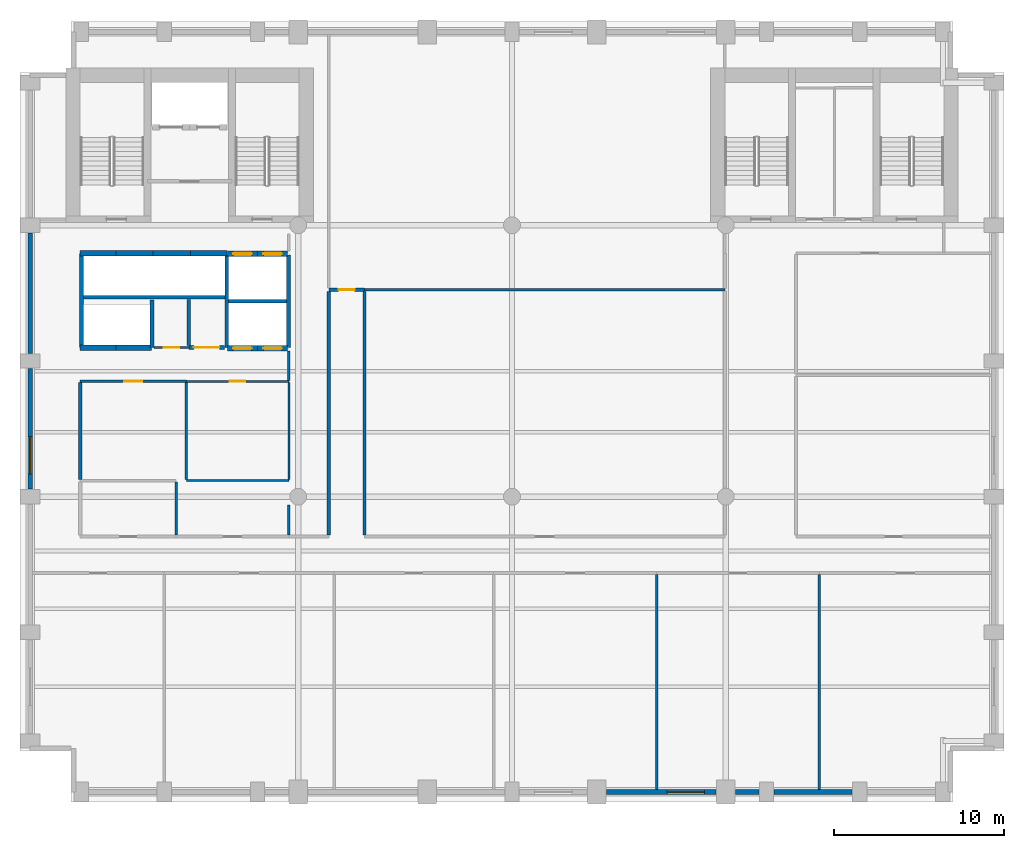
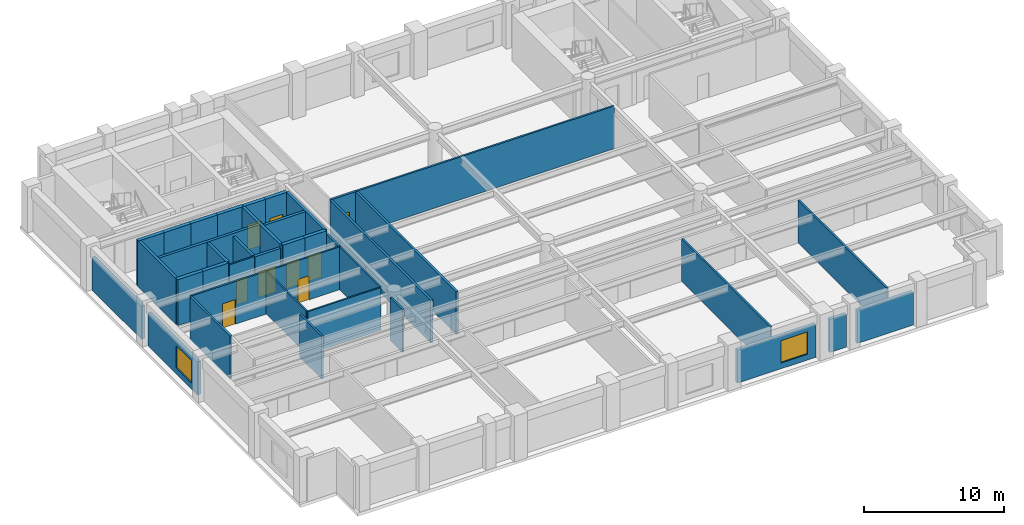
# One storey, part 3 of 8: 39 walls, 9 doors, 2 windows, 11 openings.
"""IFC4 building model written with IfcOpenShell, lengths in metres."""

from ifc_helpers import new_model, si_unit, direction, frame, frame_2d, origin, place, context, subcontext, project, spatial, rectangle, extrude, material, layer, layer_set, type_object, element, fill, save


model = new_model("IFC4")

# Units and contexts
model_context = context("Model", 3, precision=1e-05, world=origin(), true_north=direction((0.0, 1.0)))
body_context = subcontext(model_context, "Body", "Model", "MODEL_VIEW")
ifc_project = project(units=[si_unit("LENGTHUNIT", "METRE"), si_unit("AREAUNIT", "SQUARE_METRE"), si_unit("VOLUMEUNIT", "CUBIC_METRE"), si_unit("PLANEANGLEUNIT", "RADIAN"), si_unit("MASSUNIT", "GRAM", prefix="KILO")], contexts=[model_context])

# Site, building, storey
site_placement = place(None, origin())
site = spatial("IfcSite", under=ifc_project, at=site_placement, CompositionType="ELEMENT")
building_placement = place(site_placement, origin())
building = spatial("IfcBuilding", under=site, at=building_placement, Name="Sulina Concourse Tower", CompositionType="ELEMENT")
storey_placement = place(building_placement, frame((0.0, 0.0, 100.60009765625)))
storey = spatial("IfcBuildingStorey", under=building, at=storey_placement, Name="L24", CompositionType="ELEMENT", Elevation=100.60009765625)

# Walls
ifc_material_1 = material(Name="Concrete C50/60", Category="concrete")
ifc_layer_1 = layer(ifc_material_1, 0.219970703125)
ifc_layer_set_1 = layer_set([ifc_layer_1], Name="Concrete C50/60")
wall_type_1 = type_object("IfcWallType", Name="Core Lift Hoistway Divider Wall 220mm", PredefinedType="SOLIDWALL", material=ifc_layer_set_1)
wall_1_placement = place(storey_placement, frame((3.550048828125, 29.75, 0.0), z_axis=(0.0, 0.0, 1.0), x_axis=(1.0, 0.0, 0.0)))
element("IfcWall", 1, at=wall_1_placement, inside=storey, type_object=wall_type_1, Name="L24 shaft divider wall HW-LP3-S", PredefinedType="SOLIDWALL", context=body_context, shape_type="SweptSolid", body=[
    extrude(rectangle(XDim=8.64990234375, YDim=0.219970703125, at=frame_2d((4.324951171875, 0.0))), origin(), (0.0, 0.0, 1.0), 4.0),
])
wall_2_placement = place(storey_placement, frame((3.6298828125, 26.800048828125, 0.0), z_axis=(0.0, 0.0, 1.0), x_axis=(0.0, 1.0, 0.0)))
element("IfcWall", 2, at=wall_2_placement, inside=storey, type_object=wall_type_1, Name="L24 shaft divider wall HW-LP3-W", PredefinedType="SOLIDWALL", context=body_context, shape_type="SweptSolid", body=[
    extrude(rectangle(XDim=5.550048828125, YDim=0.219970703125, at=frame_2d((2.77490234375, 0.0))), origin(), (0.0, 0.0, 1.0), 4.0),
])
wall_3_placement = place(storey_placement, frame((7.780029296875, 26.800048828125, 0.0), z_axis=(0.0, 0.0, 1.0), x_axis=(0.0, 1.0, 0.0)))
element("IfcWall", 3, at=wall_3_placement, inside=storey, type_object=wall_type_1, Name="L24 shaft divider wall HW-EXP-E", PredefinedType="SOLIDWALL", context=body_context, shape_type="SweptSolid", body=[
    extrude(rectangle(XDim=2.800048828125, YDim=0.219970703125, at=frame_2d((1.39990234375, 0.0))), origin(), (0.0, 0.0, 1.0), 4.0),
])
for number, where, z_axis, x_axis, name in (
    (4, (12.179931640625, 26.800048828125, 0.0), (0.0, 0.0, 1.0), (0.0, 1.0, 0.0), "L24 shaft divider wall HW-LP2-W"),
    (5, (15.820068359375, 26.800048828125, 0.0), (0.0, 0.0, 1.0), (0.0, 1.0, 0.0), "L24 shaft divider wall HW-LP2-E"),
):
    element("IfcWall", number, at=place(storey_placement, frame(where, z_axis=z_axis, x_axis=x_axis)), inside=storey, type_object=wall_type_1, Name=name, PredefinedType="SOLIDWALL", context=body_context, shape_type="SweptSolid", body=[
        extrude(rectangle(XDim=5.449951171875, YDim=0.219970703125, at=frame_2d((2.72509765625, 0.0))), origin(), (0.0, 0.0, 1.0), 4.0),
    ])
wall_4_placement = place(storey_placement, frame((12.300048828125, 29.52001953125, 0.0), z_axis=(0.0, 0.0, 1.0), x_axis=(1.0, 0.0, 0.0)))
element("IfcWall", 6, at=wall_4_placement, inside=storey, type_object=wall_type_1, Name="L24 shaft divider wall HW-LP2-M", PredefinedType="SOLIDWALL", context=body_context, shape_type="SweptSolid", body=[
    extrude(rectangle(XDim=3.39990234375, YDim=0.219970703125, at=frame_2d((1.699951171875, 0.0))), origin(), (0.0, 0.0, 1.0), 4.0),
])

# Wall, opening, door
ifc_material_2 = material(Name="Concrete C50/60", Category="concrete")
ifc_layer_2 = layer(ifc_material_2, 0.300048828125)
ifc_layer_set_2 = layer_set([ifc_layer_2], Name="Concrete C50/60")
wall_type_2 = type_object("IfcWallType", Name="Core Lift Hoistway Wall 300mm", PredefinedType="SOLIDWALL", material=ifc_layer_set_2)
wall_5_placement = place(storey_placement, frame((14.0, 26.75, 0.0), z_axis=(0.0, 0.0, 1.0), x_axis=(-1.0, 0.0, 0.0)))
wall_5 = element("IfcWall", 7, at=wall_5_placement, inside=storey, type_object=wall_type_2, Name="L24 hoistway enclosure wall LP-05", PredefinedType="SOLIDWALL", context=body_context, shape_type="SweptSolid", body=[
    extrude(rectangle(XDim=1.780029296875, YDim=0.300048828125, at=frame_2d((0.89013671875, 0.0))), origin(), (0.0, 0.0, 1.0), 4.0),
])
opening_1_placement = place(wall_5_placement, frame((0.340087890625, 0.0, 0.0)))
opening_1 = element("IfcOpeningElement", 8, at=opening_1_placement, cuts=wall_5, Name="Opening LD-01", PredefinedType="OPENING", context=body_context, shape_type="SweptSolid", body=[
    extrude(rectangle(XDim=1.10009765625, YDim=2.199951171875, at=frame_2d((0.550048828125, 1.10009765625))), frame((0.0, 0.159912109375, 0.0), z_axis=(0.0, -1.0, 0.0), x_axis=(1.0, 0.0, 0.0)), (0.0, 0.0, 1.0), 0.320068359375),
])
ifc_material_3 = material(Name="Stainless steel lift landing door", Category="steel")
ifc_layer_3 = layer(ifc_material_3, 0.050048828125)
ifc_layer_set_3 = layer_set([ifc_layer_3], Name="Stainless steel lift landing door")
door_type_1 = type_object("IfcDoorType", Name="Passenger Lift Sliding Landing Door 1100x2200", OperationType="SLIDING_TO_LEFT", PredefinedType="DOOR", material=ifc_layer_set_3)
door_1_placement = place(opening_1_placement, origin())
door_1 = element("IfcDoor", 9, at=door_1_placement, inside=storey, type_object=door_type_1, Name="L24 lift landing sliding door LP-05", OperationType="SLIDING_TO_LEFT", OverallHeight=2.199951171875, OverallWidth=1.10009765625, PredefinedType="DOOR", context=body_context, shape_type="SweptSolid", body=[
    extrude(rectangle(XDim=1.10009765625, YDim=2.199951171875, at=frame_2d((0.550048828125, 1.10009765625))), frame((0.0, 0.02490234375, 0.0), z_axis=(0.0, -1.0, 0.0), x_axis=(1.0, 0.0, 0.0)), (0.0, 0.0, 1.0), 0.050048828125),
])
fill(opening_1, door_1)

wall_6_placement = place(storey_placement, frame((15.780029296875, 26.75, 0.0), z_axis=(0.0, 0.0, 1.0), x_axis=(-1.0, 0.0, 0.0)))
wall_6 = element("IfcWall", 10, at=wall_6_placement, inside=storey, type_object=wall_type_2, Name="L24 hoistway enclosure wall LP-06", PredefinedType="SOLIDWALL", context=body_context, shape_type="SweptSolid", body=[
    extrude(rectangle(XDim=1.780029296875, YDim=0.300048828125, at=frame_2d((0.89013671875, 0.0))), origin(), (0.0, 0.0, 1.0), 4.0),
])
opening_2_placement = place(wall_6_placement, frame((0.340087890625, 0.0, 0.0)))
opening_2 = element("IfcOpeningElement", 11, at=opening_2_placement, cuts=wall_6, Name="Opening LD-01", PredefinedType="OPENING", context=body_context, shape_type="SweptSolid", body=[
    extrude(rectangle(XDim=1.10009765625, YDim=2.199951171875, at=frame_2d((0.550048828125, 1.10009765625))), frame((0.0, 0.159912109375, 0.0), z_axis=(0.0, -1.0, 0.0), x_axis=(1.0, 0.0, 0.0)), (0.0, 0.0, 1.0), 0.320068359375),
])
door_2_placement = place(opening_2_placement, origin())
door_2 = element("IfcDoor", 12, at=door_2_placement, inside=storey, type_object=door_type_1, Name="L24 lift landing sliding door LP-06", OperationType="SLIDING_TO_RIGHT", OverallHeight=2.199951171875, OverallWidth=1.10009765625, PredefinedType="DOOR", context=body_context, shape_type="SweptSolid", body=[
    extrude(rectangle(XDim=1.10009765625, YDim=2.199951171875, at=frame_2d((0.550048828125, 1.10009765625))), frame((0.0, 0.02490234375, 0.0), z_axis=(0.0, -1.0, 0.0), x_axis=(1.0, 0.0, 0.0)), (0.0, 0.0, 1.0), 0.050048828125),
])
fill(opening_2, door_2)

wall_7_placement = place(storey_placement, frame((12.219970703125, 32.320068359375, 0.0), z_axis=(0.0, 0.0, 1.0), x_axis=(1.0, 0.0, 0.0)))
wall_7 = element("IfcWall", 13, at=wall_7_placement, inside=storey, type_object=wall_type_2, Name="L24 hoistway enclosure wall LP-07", PredefinedType="SOLIDWALL", context=body_context, shape_type="SweptSolid", body=[
    extrude(rectangle(XDim=1.780029296875, YDim=0.300048828125, at=frame_2d((0.89013671875, 0.0))), origin(), (0.0, 0.0, 1.0), 4.0),
])
opening_3_placement = place(wall_7_placement, frame((0.340087890625, 0.0, 0.0)))
opening_3 = element("IfcOpeningElement", 14, at=opening_3_placement, cuts=wall_7, Name="Opening LD-01", PredefinedType="OPENING", context=body_context, shape_type="SweptSolid", body=[
    extrude(rectangle(XDim=1.10009765625, YDim=2.199951171875, at=frame_2d((0.550048828125, 1.10009765625))), frame((0.0, 0.159912109375, 0.0), z_axis=(0.0, -1.0, 0.0), x_axis=(1.0, 0.0, 0.0)), (0.0, 0.0, 1.0), 0.320068359375),
])
door_3_placement = place(opening_3_placement, origin())
door_3 = element("IfcDoor", 15, at=door_3_placement, inside=storey, type_object=door_type_1, Name="L24 lift landing sliding door LP-07", OperationType="SLIDING_TO_LEFT", OverallHeight=2.199951171875, OverallWidth=1.10009765625, PredefinedType="DOOR", context=body_context, shape_type="SweptSolid", body=[
    extrude(rectangle(XDim=1.10009765625, YDim=2.199951171875, at=frame_2d((0.550048828125, 1.10009765625))), frame((0.0, 0.02490234375, 0.0), z_axis=(0.0, -1.0, 0.0), x_axis=(1.0, 0.0, 0.0)), (0.0, 0.0, 1.0), 0.050048828125),
])
fill(opening_3, door_3)

wall_8_placement = place(storey_placement, frame((14.0, 32.320068359375, 0.0), z_axis=(0.0, 0.0, 1.0), x_axis=(1.0, 0.0, 0.0)))
wall_8 = element("IfcWall", 16, at=wall_8_placement, inside=storey, type_object=wall_type_2, Name="L24 hoistway enclosure wall LP-08", PredefinedType="SOLIDWALL", context=body_context, shape_type="SweptSolid", body=[
    extrude(rectangle(XDim=1.780029296875, YDim=0.300048828125, at=frame_2d((0.89013671875, 0.0))), origin(), (0.0, 0.0, 1.0), 4.0),
])
opening_4_placement = place(wall_8_placement, frame((0.340087890625, 0.0, 0.0)))
opening_4 = element("IfcOpeningElement", 17, at=opening_4_placement, cuts=wall_8, Name="Opening LD-01", PredefinedType="OPENING", context=body_context, shape_type="SweptSolid", body=[
    extrude(rectangle(XDim=1.10009765625, YDim=2.199951171875, at=frame_2d((0.550048828125, 1.10009765625))), frame((0.0, 0.159912109375, 0.0), z_axis=(0.0, -1.0, 0.0), x_axis=(1.0, 0.0, 0.0)), (0.0, 0.0, 1.0), 0.320068359375),
])
door_4_placement = place(opening_4_placement, origin())
door_4 = element("IfcDoor", 18, at=door_4_placement, inside=storey, type_object=door_type_1, Name="L24 lift landing sliding door LP-08", OperationType="SLIDING_TO_RIGHT", OverallHeight=2.199951171875, OverallWidth=1.10009765625, PredefinedType="DOOR", context=body_context, shape_type="SweptSolid", body=[
    extrude(rectangle(XDim=1.10009765625, YDim=2.199951171875, at=frame_2d((0.550048828125, 1.10009765625))), frame((0.0, 0.02490234375, 0.0), z_axis=(0.0, -1.0, 0.0), x_axis=(1.0, 0.0, 0.0)), (0.0, 0.0, 1.0), 0.050048828125),
])
fill(opening_4, door_4)

# Walls
wall_9_placement = place(storey_placement, frame((3.550048828125, 32.35009765625, 0.0), z_axis=(0.0, 0.0, 1.0), x_axis=(1.0, 0.0, 0.0)))
element("IfcWall", 19, at=wall_9_placement, inside=storey, type_object=wall_type_2, Name="L24 hoistway enclosure wall LP-09", PredefinedType="SOLIDWALL", context=body_context, shape_type="SweptSolid", body=[
    extrude(rectangle(XDim=2.099853515625, YDim=0.300048828125, at=frame_2d((1.0498046875, 0.0))), origin(), (0.0, 0.0, 1.0), 4.0),
])
wall_10_placement = place(storey_placement, frame((5.64990234375, 32.35009765625, 0.0), z_axis=(0.0, 0.0, 1.0), x_axis=(1.0, 0.0, 0.0)))
element("IfcWall", 20, at=wall_10_placement, inside=storey, type_object=wall_type_2, Name="L24 hoistway enclosure wall LP-10", PredefinedType="SOLIDWALL", context=body_context, shape_type="SweptSolid", body=[
    extrude(rectangle(XDim=2.2001953125, YDim=0.300048828125, at=frame_2d((1.10009765625, 0.0))), origin(), (0.0, 0.0, 1.0), 4.0),
])
wall_11_placement = place(storey_placement, frame((7.85009765625, 32.35009765625, 0.0), z_axis=(0.0, 0.0, 1.0), x_axis=(1.0, 0.0, 0.0)))
element("IfcWall", 21, at=wall_11_placement, inside=storey, type_object=wall_type_2, Name="L24 hoistway enclosure wall LP-11", PredefinedType="SOLIDWALL", context=body_context, shape_type="SweptSolid", body=[
    extrude(rectangle(XDim=2.199951171875, YDim=0.300048828125, at=frame_2d((1.10009765625, 0.0))), origin(), (0.0, 0.0, 1.0), 4.0),
])
wall_12_placement = place(storey_placement, frame((10.050048828125, 32.35009765625, 0.0), z_axis=(0.0, 0.0, 1.0), x_axis=(1.0, 0.0, 0.0)))
element("IfcWall", 22, at=wall_12_placement, inside=storey, type_object=wall_type_2, Name="L24 hoistway enclosure wall LP-12", PredefinedType="SOLIDWALL", context=body_context, shape_type="SweptSolid", body=[
    extrude(rectangle(XDim=2.14990234375, YDim=0.300048828125, at=frame_2d((1.074951171875, 0.0))), origin(), (0.0, 0.0, 1.0), 4.0),
])
wall_13_placement = place(storey_placement, frame((5.64990234375, 26.780029296875, 0.0), z_axis=(0.0, 0.0, 1.0), x_axis=(-1.0, 0.0, 0.0)))
element("IfcWall", 23, at=wall_13_placement, inside=storey, type_object=wall_type_2, Name="L24 hoistway enclosure wall EXP-1", PredefinedType="SOLIDWALL", context=body_context, shape_type="SweptSolid", body=[
    extrude(rectangle(XDim=2.099853515625, YDim=0.300048828125, at=frame_2d((1.0498046875, 0.0))), origin(), (0.0, 0.0, 1.0), 4.0),
])
wall_14_placement = place(storey_placement, frame((7.75, 26.780029296875, 0.0), z_axis=(0.0, 0.0, 1.0), x_axis=(-1.0, 0.0, 0.0)))
element("IfcWall", 24, at=wall_14_placement, inside=storey, type_object=wall_type_2, Name="L24 hoistway enclosure wall EXP-2", PredefinedType="SOLIDWALL", context=body_context, shape_type="SweptSolid", body=[
    extrude(rectangle(XDim=2.10009765625, YDim=0.300048828125, at=frame_2d((1.050048828125, 0.0))), origin(), (0.0, 0.0, 1.0), 4.0),
])

# Wall, opening, door
ifc_material_4 = material(Name="Gypsum board on steel stud", Category="steel")
ifc_layer_4 = layer(ifc_material_4, 0.219970703125)
ifc_layer_set_4 = layer_set([ifc_layer_4], Name="Gypsum board on steel stud")
wall_type_3 = type_object("IfcWallType", Name="Fire-Rated Lobby & Compartment Wall 220mm", PredefinedType="PARTITIONING", material=ifc_layer_set_4)
wall_15_placement = place(storey_placement, frame((9.949951171875, 26.800048828125, 0.0), z_axis=(0.0, 0.0, 1.0), x_axis=(1.0, 0.0, 0.0)))
wall_15 = element("IfcWall", 25, at=wall_15_placement, inside=storey, type_object=wall_type_3, Name="L24 interior partition 018", PredefinedType="PARTITIONING", context=body_context, shape_type="SweptSolid", body=[
    extrude(rectangle(XDim=2.10009765625, YDim=0.219970703125, at=frame_2d((1.050048828125, 0.0))), origin(), (0.0, 0.0, 1.0), 3.724853515625),
])
opening_5_placement = place(wall_15_placement, frame((0.300048828125, 0.0, 0.0)))
opening_5 = element("IfcOpeningElement", 26, at=opening_5_placement, cuts=wall_15, Name="Opening DR-80", PredefinedType="OPENING", context=body_context, shape_type="SweptSolid", body=[
    extrude(rectangle(XDim=1.5, YDim=2.25, at=frame_2d((0.75, 1.125))), frame((0.0, 0.119873046875, 0.0), z_axis=(0.0, -1.0, 0.0), x_axis=(1.0, 0.0, 0.0)), (0.0, 0.0, 1.0), 0.239990234375),
])
ifc_material_5 = material(Name="Galvanised steel acoustic fire leaf", Category="steel")
ifc_layer_5 = layer(ifc_material_5, 0.054931640625)
ifc_layer_set_5 = layer_set([ifc_layer_5], Name="Galvanised steel acoustic fire leaf")
door_type_2 = type_object("IfcDoorType", Name="Mechanical Plant Double Fire Door 1500x2250", OperationType="DOUBLE_DOOR_SINGLE_SWING", PredefinedType="DOOR", material=ifc_layer_set_5)
door_5_placement = place(opening_5_placement, origin())
door_5 = element("IfcDoor", 27, at=door_5_placement, inside=storey, type_object=door_type_2, Name="L24 interior door L24-IT-IDF", OperationType="DOUBLE_DOOR_SINGLE_SWING", OverallHeight=2.25, OverallWidth=1.5, PredefinedType="DOOR", context=body_context, shape_type="SweptSolid", body=[
    extrude(rectangle(XDim=1.5, YDim=2.25, at=frame_2d((0.75, 1.125))), frame((0.0, 0.02490234375, 0.0), z_axis=(0.0, -1.0, 0.0), x_axis=(1.0, 0.0, 0.0)), (0.0, 0.0, 1.0), 0.050048828125),
])
fill(opening_5, door_5)

# Wall
wall_16_placement = place(storey_placement, frame((9.949951171875, 26.909912109375, 0.0), z_axis=(0.0, 0.0, 1.0), x_axis=(0.0, 1.0, 0.0)))
element("IfcWall", 28, at=wall_16_placement, inside=storey, type_object=wall_type_3, Name="L24 interior partition 031", PredefinedType="PARTITIONING", context=body_context, shape_type="SweptSolid", body=[
    extrude(rectangle(XDim=2.72998046875, YDim=0.219970703125, at=frame_2d((1.364990234375, 0.0))), origin(), (0.0, 0.0, 1.0), 3.724853515625),
])

# Wall, opening, door
ifc_material_6 = material(Name="Gypsum board on steel stud", Category="steel")
ifc_layer_6 = layer(ifc_material_6, 0.14990234375)
ifc_layer_set_6 = layer_set([ifc_layer_6], Name="Gypsum board on steel stud")
wall_type_4 = type_object("IfcWallType", Name="Inter-Tenancy Acoustic Partition 150mm", PredefinedType="PARTITIONING", material=ifc_layer_set_6)
wall_17_placement = place(storey_placement, frame((3.550048828125, 24.800048828125, 0.0), z_axis=(0.0, 0.0, 1.0), x_axis=(1.0, 0.0, 0.0)))
wall_17 = element("IfcWall", 29, at=wall_17_placement, inside=storey, type_object=wall_type_4, Name="L24 interior partition 014", PredefinedType="PARTITIONING", context=body_context, shape_type="SweptSolid", body=[
    extrude(rectangle(XDim=6.25, YDim=0.14990234375, at=frame_2d((3.125, 0.0))), origin(), (0.0, 0.0, 1.0), 3.724853515625),
])
opening_6_placement = place(wall_17_placement, frame((2.60009765625, 0.0, 0.0)))
opening_6 = element("IfcOpeningElement", 30, at=opening_6_placement, cuts=wall_17, Name="Opening DR-37", PredefinedType="OPENING", context=body_context, shape_type="SweptSolid", body=[
    extrude(rectangle(XDim=1.050048828125, YDim=2.14990234375, at=frame_2d((0.52490234375, 1.074951171875))), frame((0.0, 0.0849609375, 0.0), z_axis=(0.0, -1.0, 0.0), x_axis=(1.0, 0.0, 0.0)), (0.0, 0.0, 1.0), 0.169921875),
])
ifc_material_7 = material(Name="Oak-veneered fire door leaf")
ifc_layer_7 = layer(ifc_material_7, 0.050048828125)
ifc_layer_set_7 = layer_set([ifc_layer_7], Name="Oak-veneered fire door leaf")
door_type_3 = type_object("IfcDoorType", Name="Tenant Suite Entrance Fire Door 1050x2150", OperationType="NOTDEFINED", PredefinedType="DOOR", material=ifc_layer_set_7)
door_6_placement = place(opening_6_placement, origin())
door_6 = element("IfcDoor", 31, at=door_6_placement, inside=storey, type_object=door_type_3, Name="L24 interior door L24-LR-MRG1", OperationType="SINGLE_SWING_RIGHT", OverallHeight=2.14990234375, OverallWidth=1.050048828125, PredefinedType="DOOR", context=body_context, shape_type="SweptSolid", body=[
    extrude(rectangle(XDim=1.050048828125, YDim=2.14990234375, at=frame_2d((0.52490234375, 1.074951171875))), frame((0.0, 0.02490234375, 0.0), z_axis=(0.0, -1.0, 0.0), x_axis=(1.0, 0.0, 0.0)), (0.0, 0.0, 1.0), 0.050048828125),
])
fill(opening_6, door_6)

# Walls
wall_18_placement = place(storey_placement, frame((20.300048828125, 30.199951171875, 0.0), z_axis=(0.0, 0.0, 1.0), x_axis=(1.0, 0.0, 0.0)))
element("IfcWall", 32, at=wall_18_placement, inside=storey, type_object=wall_type_4, Name="L24 interior partition 020", PredefinedType="PARTITIONING", context=body_context, shape_type="SweptSolid", body=[
    extrude(rectangle(XDim=21.25, YDim=0.14990234375, at=frame_2d((10.625, 0.0))), origin(), (0.0, 0.0, 1.0), 3.724853515625),
])
wall_19_placement = place(storey_placement, frame((9.199951171875, 15.739990234375, 0.0), z_axis=(0.0, 0.0, 1.0), x_axis=(0.0, 1.0, 0.0)))
element("IfcWall", 33, at=wall_19_placement, inside=storey, type_object=wall_type_4, Name="L24 interior partition 029", PredefinedType="PARTITIONING", context=body_context, shape_type="SweptSolid", body=[
    extrude(rectangle(XDim=3.135009765625, YDim=0.14990234375, at=frame_2d((1.5673828125, 0.0))), origin(), (0.0, 0.0, 1.0), 3.724853515625),
])
wall_20_placement = place(storey_placement, frame((15.85009765625, 15.739990234375, 0.0), z_axis=(0.0, 0.0, 1.0), x_axis=(0.0, 1.0, 0.0)))
element("IfcWall", 34, at=wall_20_placement, inside=storey, type_object=wall_type_4, Name="L24 interior partition 032", PredefinedType="PARTITIONING", context=body_context, shape_type="SweptSolid", body=[
    extrude(rectangle(XDim=1.760009765625, YDim=0.14990234375, at=frame_2d((0.8798828125, 0.0))), origin(), (0.0, 0.0, 1.0), 3.724853515625),
])
wall_21_placement = place(storey_placement, frame((15.85009765625, 24.862548828125, 0.0), z_axis=(0.0, 0.0, 1.0), x_axis=(0.0, 1.0, 0.0)))
element("IfcWall", 35, at=wall_21_placement, inside=storey, type_object=wall_type_4, Name="L24 interior partition 034", PredefinedType="PARTITIONING", context=body_context, shape_type="SweptSolid", body=[
    extrude(rectangle(XDim=1.737548828125, YDim=0.14990234375, at=frame_2d((0.86865234375, 0.0))), origin(), (0.0, 0.0, 1.0), 3.724853515625),
])
for number, where, z_axis, x_axis, name in (
    (36, (37.52001953125, 0.739990234375, 0.0), (0.0, 0.0, 1.0), (0.0, 1.0, 0.0), "L24 interior partition 041"),
    (37, (47.1201171875, 0.739990234375, 0.0), (0.0, 0.0, 1.0), (0.0, 1.0, 0.0), "L24 interior partition 049"),
):
    element("IfcWall", number, at=place(storey_placement, frame(where, z_axis=z_axis, x_axis=x_axis)), inside=storey, type_object=wall_type_4, Name=name, PredefinedType="PARTITIONING", context=body_context, shape_type="SweptSolid", body=[
        extrude(rectangle(XDim=12.669921875, YDim=0.14990234375, at=frame_2d((6.3349609375, 0.0))), origin(), (0.0, 0.0, 1.0), 3.724853515625),
    ])

# Wall, opening, door
ifc_material_8 = material(Name="Gypsum board on steel stud", Category="steel")
ifc_layer_8 = layer(ifc_material_8, 0.179931640625)
ifc_layer_set_8 = layer_set([ifc_layer_8], Name="Gypsum board on steel stud")
wall_type_5 = type_object("IfcWallType", Name="Protected Corridor & Riser Partition 180mm", PredefinedType="PARTITIONING", material=ifc_layer_set_8)
wall_22_placement = place(storey_placement, frame((18.199951171875, 30.199951171875, 0.0), z_axis=(0.0, 0.0, 1.0), x_axis=(1.0, 0.0, 0.0)))
wall_22 = element("IfcWall", 38, at=wall_22_placement, inside=storey, type_object=wall_type_5, Name="L24 interior partition 019", PredefinedType="PARTITIONING", context=body_context, shape_type="SweptSolid", body=[
    extrude(rectangle(XDim=2.10009765625, YDim=0.179931640625, at=frame_2d((1.050048828125, 0.0))), origin(), (0.0, 0.0, 1.0), 3.724853515625),
])
opening_7_placement = place(wall_22_placement, frame((0.574951171875, 0.0, 0.0)))
opening_7 = element("IfcOpeningElement", 39, at=opening_7_placement, cuts=wall_22, Name="Opening DR-19", PredefinedType="OPENING", context=body_context, shape_type="SweptSolid", body=[
    extrude(rectangle(XDim=0.949951171875, YDim=2.14990234375, at=frame_2d((0.47509765625, 1.074951171875))), frame((0.0, 0.099853515625, 0.0), z_axis=(0.0, -1.0, 0.0), x_axis=(1.0, 0.0, 0.0)), (0.0, 0.0, 1.0), 0.199951171875),
])
ifc_material_9 = material(Name="Oak-veneered acoustic timber leaf", Category="wood")
ifc_layer_9 = layer(ifc_material_9, 0.050048828125)
ifc_layer_set_9 = layer_set([ifc_layer_9], Name="Oak-veneered acoustic timber leaf")
door_type_4 = type_object("IfcDoorType", Name="Cellular Office & Meeting Door 950x2150", OperationType="NOTDEFINED", PredefinedType="DOOR", material=ifc_layer_set_9)
door_7_placement = place(opening_7_placement, origin())
door_7 = element("IfcDoor", 40, at=door_7_placement, inside=storey, type_object=door_type_4, Name="L24 interior door L24-NC4", OperationType="SINGLE_SWING_LEFT", OverallHeight=2.14990234375, OverallWidth=0.949951171875, PredefinedType="DOOR", context=body_context, shape_type="SweptSolid", body=[
    extrude(rectangle(XDim=0.949951171875, YDim=2.14990234375, at=frame_2d((0.47509765625, 1.074951171875))), frame((0.0, 0.02490234375, 0.0), z_axis=(0.0, -1.0, 0.0), x_axis=(1.0, 0.0, 0.0)), (0.0, 0.0, 1.0), 0.050048828125),
])
fill(opening_7, door_7)

# Walls
wall_23_placement = place(storey_placement, frame((3.550048828125, 19.02490234375, 0.0), z_axis=(0.0, 0.0, 1.0), x_axis=(0.0, 1.0, 0.0)))
element("IfcWall", 41, at=wall_23_placement, inside=storey, type_object=wall_type_5, Name="L24 interior partition 027", PredefinedType="PARTITIONING", context=body_context, shape_type="SweptSolid", body=[
    extrude(rectangle(XDim=5.7001953125, YDim=0.179931640625, at=frame_2d((2.85009765625, 0.0))), origin(), (0.0, 0.0, 1.0), 3.724853515625),
])
for number, where, z_axis, x_axis, name in (
    (42, (18.199951171875, 15.739990234375, 0.0), (0.0, 0.0, 1.0), (0.0, 1.0, 0.0), "L24 interior partition 036"),
    (43, (20.300048828125, 15.739990234375, 0.0), (0.0, 0.0, 1.0), (0.0, 1.0, 0.0), "L24 interior partition 039"),
):
    element("IfcWall", number, at=place(storey_placement, frame(where, z_axis=z_axis, x_axis=x_axis)), inside=storey, type_object=wall_type_5, Name=name, PredefinedType="PARTITIONING", context=body_context, shape_type="SweptSolid", body=[
        extrude(rectangle(XDim=14.3701171875, YDim=0.179931640625, at=frame_2d((7.18505859375, 0.0))), origin(), (0.0, 0.0, 1.0), 3.724853515625),
    ])

# Wall, opening, window
ifc_material_10 = material(Name="Precast concrete C50/60", Category="concrete")
ifc_layer_10 = layer(ifc_material_10, 0.280029296875)
ifc_layer_set_10 = layer_set([ifc_layer_10], Name="Precast concrete C50/60")
wall_type_6 = type_object("IfcWallType", Name="Typical Precast Masonry-Frame Facade Wall 280mm", PredefinedType="SOLIDWALL", material=ifc_layer_set_10)
wall_24_placement = place(storey_placement, frame((41.030029296875, 0.60009765625, 0.0), z_axis=(0.0, 0.0, 1.0), x_axis=(-1.0, 0.0, 0.0)))
wall_24 = element("IfcWall", 44, at=wall_24_placement, inside=storey, type_object=wall_type_6, Name="L24 exterior precast wall S7", PredefinedType="SOLIDWALL", context=body_context, shape_type="SweptSolid", body=[
    extrude(rectangle(XDim=6.4599609375, YDim=0.280029296875, at=frame_2d((3.22998046875, 0.0))), origin(), (0.0, 0.0, 1.0), 2.875),
])
opening_8_placement = place(wall_24_placement, frame((0.686767578125, 0.0, 0.5)))
opening_8 = element("IfcOpeningElement", 45, at=opening_8_placement, cuts=wall_24, Name="Opening WN-76", PredefinedType="OPENING", context=body_context, shape_type="SweptSolid", body=[
    extrude(rectangle(XDim=2.199951171875, YDim=1.949951171875, at=frame_2d((1.10009765625, 0.97509765625))), frame((0.0, 0.14990234375, 0.0), z_axis=(0.0, -1.0, 0.0), x_axis=(1.0, 0.0, 0.0)), (0.0, 0.0, 1.0), 0.300048828125),
])
ifc_material_11 = material(Name="Low-E solar double glazing in bronze aluminium", Category="aluminium")
window_type = type_object("IfcWindowType", Name="Recessed Spandrel Window 2200x1950", PartitioningType="DOUBLE_PANEL_VERTICAL", PredefinedType="WINDOW", material=ifc_material_11)
window_1_placement = place(opening_8_placement, origin())
window_1 = element("IfcWindow", 46, at=window_1_placement, inside=storey, type_object=window_type, Name="L24 punched window S7-1", OverallHeight=1.949951171875, OverallWidth=2.199951171875, PartitioningType="SINGLE_PANEL", PredefinedType="WINDOW", context=body_context, shape_type="SweptSolid", body=[
    extrude(rectangle(XDim=2.199951171875, YDim=1.949951171875, at=frame_2d((1.10009765625, 0.97509765625))), frame((0.0, 0.030029296875, 0.0), z_axis=(0.0, -1.0, 0.0), x_axis=(1.0, 0.0, 0.0)), (0.0, 0.0, 1.0), 0.06005859375),
])
fill(opening_8, window_1)

# Walls
wall_25_placement = place(storey_placement, frame((43.554931640625, 0.60009765625, 0.0), z_axis=(0.0, 0.0, 1.0), x_axis=(-1.0, 0.0, 0.0)))
element("IfcWall", 47, at=wall_25_placement, inside=storey, type_object=wall_type_6, Name="L24 exterior precast wall S8", PredefinedType="SOLIDWALL", context=body_context, shape_type="SweptSolid", body=[
    extrude(rectangle(XDim=1.385009765625, YDim=0.280029296875, at=frame_2d((0.6923828125, 0.0))), origin(), (0.0, 0.0, 1.0), 2.875),
])
wall_26_placement = place(storey_placement, frame((49.054931640625, 0.60009765625, 0.0), z_axis=(0.0, 0.0, 1.0), x_axis=(-1.0, 0.0, 0.0)))
element("IfcWall", 48, at=wall_26_placement, inside=storey, type_object=wall_type_6, Name="L24 exterior precast wall S9", PredefinedType="SOLIDWALL", context=body_context, shape_type="SweptSolid", body=[
    extrude(rectangle(XDim=4.60986328125, YDim=0.280029296875, at=frame_2d((2.304931640625, 0.0))), origin(), (0.0, 0.0, 1.0), 2.875),
])

# Wall, opening, window
wall_27_placement = place(storey_placement, frame((0.60009765625, 18.445068359375, 0.0), z_axis=(0.0, 0.0, 1.0), x_axis=(0.0, 1.0, 0.0)))
wall_27 = element("IfcWall", 49, at=wall_27_placement, inside=storey, type_object=wall_type_6, Name="L24 exterior precast wall W3", PredefinedType="SOLIDWALL", context=body_context, shape_type="SweptSolid", body=[
    extrude(rectangle(XDim=7.10986328125, YDim=0.280029296875, at=frame_2d((3.554931640625, 0.0))), origin(), (0.0, 0.0, 1.0), 2.875),
])
opening_9_placement = place(wall_27_placement, frame((0.9033203125, 0.0, 0.5)))
opening_9 = element("IfcOpeningElement", 50, at=opening_9_placement, cuts=wall_27, Name="Opening WN-76", PredefinedType="OPENING", context=body_context, shape_type="SweptSolid", body=[
    extrude(rectangle(XDim=2.199951171875, YDim=1.949951171875, at=frame_2d((1.10009765625, 0.97509765625))), frame((0.0, 0.14990234375, 0.0), z_axis=(0.0, -1.0, 0.0), x_axis=(1.0, 0.0, 0.0)), (0.0, 0.0, 1.0), 0.300048828125),
])
window_2_placement = place(opening_9_placement, origin())
window_2 = element("IfcWindow", 51, at=window_2_placement, inside=storey, type_object=window_type, Name="L24 punched window W3-1", OverallHeight=1.949951171875, OverallWidth=2.199951171875, PartitioningType="SINGLE_PANEL", PredefinedType="WINDOW", context=body_context, shape_type="SweptSolid", body=[
    extrude(rectangle(XDim=2.199951171875, YDim=1.949951171875, at=frame_2d((1.10009765625, 0.97509765625))), frame((0.0, 0.030029296875, 0.0), z_axis=(0.0, -1.0, 0.0), x_axis=(1.0, 0.0, 0.0)), (0.0, 0.0, 1.0), 0.06005859375),
])
fill(opening_9, window_2)

# Walls
wall_28_placement = place(storey_placement, frame((0.60009765625, 26.445068359375, 0.0), z_axis=(0.0, 0.0, 1.0), x_axis=(0.0, 1.0, 0.0)))
element("IfcWall", 52, at=wall_28_placement, inside=storey, type_object=wall_type_6, Name="L24 exterior precast wall W4", PredefinedType="SOLIDWALL", context=body_context, shape_type="SweptSolid", body=[
    extrude(rectangle(XDim=7.10986328125, YDim=0.280029296875, at=frame_2d((3.554931640625, 0.0))), origin(), (0.0, 0.0, 1.0), 2.875),
])
ifc_material_12 = material(Name="Gypsum board on steel stud", Category="steel")
ifc_layer_11 = layer(ifc_material_12, 0.125)
ifc_layer_set_11 = layer_set([ifc_layer_11], Name="Gypsum board on steel stud")
wall_type_7 = type_object("IfcWallType", Name="Wet-Area Moisture-Resistant Partition 125mm", PredefinedType="PARTITIONING", material=ifc_layer_set_11)
wall_29_placement = place(storey_placement, frame((9.800048828125, 18.949951171875, 0.0), z_axis=(0.0, 0.0, 1.0), x_axis=(1.0, 0.0, 0.0)))
element("IfcWall", 53, at=wall_29_placement, inside=storey, type_object=wall_type_7, Name="L24 interior partition 013", PredefinedType="PARTITIONING", context=body_context, shape_type="SweptSolid", body=[
    extrude(rectangle(XDim=6.050048828125, YDim=0.125, at=frame_2d((3.02490234375, 0.0))), origin(), (0.0, 0.0, 1.0), 3.724853515625),
])

# Wall, opening, door
wall_30_placement = place(storey_placement, frame((9.800048828125, 24.800048828125, 0.0), z_axis=(0.0, 0.0, 1.0), x_axis=(1.0, 0.0, 0.0)))
wall_30 = element("IfcWall", 54, at=wall_30_placement, inside=storey, type_object=wall_type_7, Name="L24 interior partition 015", PredefinedType="PARTITIONING", context=body_context, shape_type="SweptSolid", body=[
    extrude(rectangle(XDim=6.050048828125, YDim=0.125, at=frame_2d((3.02490234375, 0.0))), origin(), (0.0, 0.0, 1.0), 3.724853515625),
])
opening_10_placement = place(wall_30_placement, frame((2.574951171875, 0.0, 0.0)))
opening_10 = element("IfcOpeningElement", 55, at=opening_10_placement, cuts=wall_30, Name="Opening DR-21", PredefinedType="OPENING", context=body_context, shape_type="SweptSolid", body=[
    extrude(rectangle(XDim=0.89990234375, YDim=2.10009765625, at=frame_2d((0.449951171875, 1.050048828125))), frame((0.0, 0.072509765625, 0.0), z_axis=(0.0, -1.0, 0.0), x_axis=(1.0, 0.0, 0.0)), (0.0, 0.0, 1.0), 0.14501953125),
])
ifc_material_13 = material(Name="Oak-veneered fire door leaf")
ifc_layer_12 = layer(ifc_material_13, 0.050048828125)
ifc_layer_set_12 = layer_set([ifc_layer_12], Name="Oak-veneered fire door leaf")
door_type_5 = type_object("IfcDoorType", Name="Restroom & Service Door 900x2100", OperationType="NOTDEFINED", PredefinedType="DOOR", material=ifc_layer_set_12)
door_8_placement = place(opening_10_placement, origin())
door_8 = element("IfcDoor", 56, at=door_8_placement, inside=storey, type_object=door_type_5, Name="L24 interior door L24-LR-MRG2", OperationType="SINGLE_SWING_LEFT", OverallHeight=2.10009765625, OverallWidth=0.89990234375, PredefinedType="DOOR", context=body_context, shape_type="SweptSolid", body=[
    extrude(rectangle(XDim=0.89990234375, YDim=2.10009765625, at=frame_2d((0.449951171875, 1.050048828125))), frame((0.0, 0.02490234375, 0.0), z_axis=(0.0, -1.0, 0.0), x_axis=(1.0, 0.0, 0.0)), (0.0, 0.0, 1.0), 0.050048828125),
])
fill(opening_10, door_8)

wall_31_placement = place(storey_placement, frame((7.889892578125, 26.800048828125, 0.0), z_axis=(0.0, 0.0, 1.0), x_axis=(1.0, 0.0, 0.0)))
wall_31 = element("IfcWall", 57, at=wall_31_placement, inside=storey, type_object=wall_type_7, Name="L24 interior partition 017", PredefinedType="PARTITIONING", context=body_context, shape_type="SweptSolid", body=[
    extrude(rectangle(XDim=2.06005859375, YDim=0.125, at=frame_2d((1.030029296875, 0.0))), origin(), (0.0, 0.0, 1.0), 3.724853515625),
])
opening_11_placement = place(wall_31_placement, frame((0.570068359375, 0.0, 0.0)))
opening_11 = element("IfcOpeningElement", 58, at=opening_11_placement, cuts=wall_31, Name="Opening DR-61", PredefinedType="OPENING", context=body_context, shape_type="SweptSolid", body=[
    extrude(rectangle(XDim=0.919921875, YDim=2.10009765625, at=frame_2d((0.4599609375, 1.050048828125))), frame((0.0, 0.072509765625, 0.0), z_axis=(0.0, -1.0, 0.0), x_axis=(1.0, 0.0, 0.0)), (0.0, 0.0, 1.0), 0.14501953125),
])
ifc_material_14 = material(Name="Oak-veneered fire door leaf")
ifc_layer_13 = layer(ifc_material_14, 0.050048828125)
ifc_layer_set_13 = layer_set([ifc_layer_13], Name="Oak-veneered fire door leaf")
door_type_6 = type_object("IfcDoorType", Name="Accessible WC Door 920x2100", OperationType="NOTDEFINED", PredefinedType="DOOR", material=ifc_layer_set_13)
door_9_placement = place(opening_11_placement, origin())
door_9 = element("IfcDoor", 59, at=door_9_placement, inside=storey, type_object=door_type_6, Name="L24 interior door L24-WC-ACC", OperationType="SINGLE_SWING_RIGHT", OverallHeight=2.10009765625, OverallWidth=0.919921875, PredefinedType="DOOR", context=body_context, shape_type="SweptSolid", body=[
    extrude(rectangle(XDim=0.919921875, YDim=2.10009765625, at=frame_2d((0.4599609375, 1.050048828125))), frame((0.0, 0.02490234375, 0.0), z_axis=(0.0, -1.0, 0.0), x_axis=(1.0, 0.0, 0.0)), (0.0, 0.0, 1.0), 0.050048828125),
])
fill(opening_11, door_9)

# Walls
wall_32_placement = place(storey_placement, frame((9.800048828125, 19.012451171875, 0.0), z_axis=(0.0, 0.0, 1.0), x_axis=(0.0, 1.0, 0.0)))
element("IfcWall", 60, at=wall_32_placement, inside=storey, type_object=wall_type_7, Name="L24 interior partition 030", PredefinedType="PARTITIONING", context=body_context, shape_type="SweptSolid", body=[
    extrude(rectangle(XDim=5.712646484375, YDim=0.125, at=frame_2d((2.8564453125, 0.0))), origin(), (0.0, 0.0, 1.0), 3.724853515625),
])
wall_33_placement = place(storey_placement, frame((15.85009765625, 19.012451171875, 0.0), z_axis=(0.0, 0.0, 1.0), x_axis=(0.0, 1.0, 0.0)))
element("IfcWall", 61, at=wall_33_placement, inside=storey, type_object=wall_type_7, Name="L24 interior partition 033", PredefinedType="PARTITIONING", context=body_context, shape_type="SweptSolid", body=[
    extrude(rectangle(XDim=5.72509765625, YDim=0.125, at=frame_2d((2.862548828125, 0.0))), origin(), (0.0, 0.0, 1.0), 3.724853515625),
])

save(model, "model.ifc")
